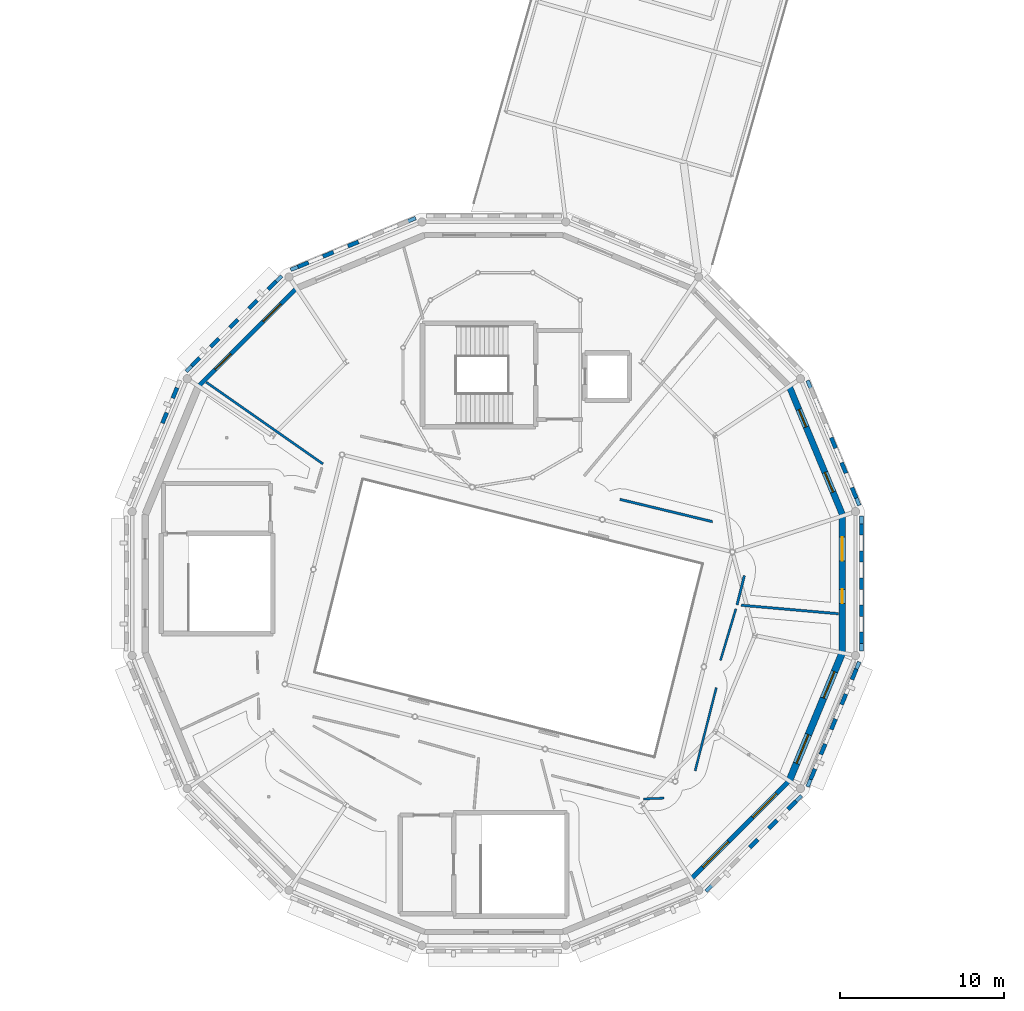
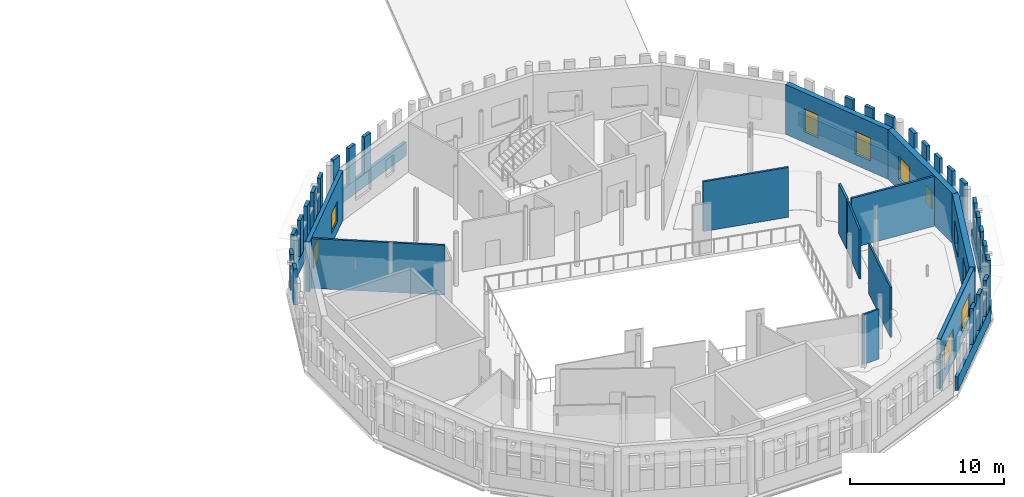
# One storey, part 47 of 68: 44 walls, 10 windows, 10 openings.
"""IFC4 building model written with IfcOpenShell, lengths in metres."""

from ifc_helpers import new_model, si_unit, direction, frame, frame_2d, origin, place, context, subcontext, project, spatial, rectangle, extrude, material, layer, layer_set, type_object, element, fill, save


model = new_model("IFC4")

# Units and contexts
model_context = context("Model", 3, precision=1e-05, world=origin(), true_north=direction((0.0, 1.0)))
body_context = subcontext(model_context, "Body", "Model", "MODEL_VIEW")
ifc_project = project(units=[si_unit("LENGTHUNIT", "METRE"), si_unit("AREAUNIT", "SQUARE_METRE"), si_unit("VOLUMEUNIT", "CUBIC_METRE"), si_unit("PLANEANGLEUNIT", "RADIAN"), si_unit("MASSUNIT", "GRAM", prefix="KILO")], contexts=[model_context])

# Site, building, storey
site_placement = place(None, origin())
site = spatial("IfcSite", under=ifc_project, at=site_placement, CompositionType="ELEMENT")
building_placement = place(site_placement, origin())
building = spatial("IfcBuilding", under=site, at=building_placement, Name="Wrenclough Park School", CompositionType="ELEMENT")
storey_placement = place(building_placement, frame((0.0, 0.0, 12.60009765625)))
storey = spatial("IfcBuildingStorey", under=building, at=storey_placement, Name="L03", CompositionType="ELEMENT", Elevation=12.60009765625)

# Walls
ifc_material_1 = material(Name="Perforated open-bond Staffordshire and Manchester brick screen pier", Category="masonry")
ifc_layer_1 = layer(ifc_material_1, 0.2451171875)
ifc_layer_set_1 = layer_set([ifc_layer_1], Name="Perforated open-bond Staffordshire and Manchester brick screen pier")
wall_type_1 = type_object("IfcWallType", Name="ENV-BS-PR245", PredefinedType="ELEMENTEDWALL", material=ifc_layer_set_1)
wall_1_placement = place(storey_placement, frame((177.566650390625, 31.703369140625, 1.08984375), z_axis=(0.0, 0.0, 1.0), x_axis=(-0.382934147939, 0.92377564286, 0.0)))
element("IfcWall", 1, at=wall_1_placement, inside=storey, type_object=wall_type_1, Name="D1 L03 perforated brick screen pier 0623", PredefinedType="ELEMENTEDWALL", context=body_context, shape_type="SweptSolid", body=[
    extrude(rectangle(XDim=0.691162109375, YDim=0.2451171875, at=frame_2d((0.345703125, 0.0))), origin(), (0.0, 0.0, 1.0), 2.85009765625),
])
wall_2_placement = place(storey_placement, frame((176.936767578125, 33.22412109375, 1.08984375), z_axis=(0.0, 0.0, 1.0), x_axis=(-0.382757564877, 0.923848822335, 0.0)))
element("IfcWall", 2, at=wall_2_placement, inside=storey, type_object=wall_type_1, Name="D1 L03 perforated brick screen pier 0624", PredefinedType="ELEMENTEDWALL", context=body_context, shape_type="SweptSolid", body=[
    extrude(rectangle(XDim=0.690673828125, YDim=0.2451171875, at=frame_2d((0.34521484375, 0.0))), origin(), (0.0, 0.0, 1.0), 2.85009765625),
])
for number, where, z_axis, x_axis, name in (
    (3, (176.306884765625, 34.74462890625, 1.08984375), (0.0, 0.0, 1.0), (-0.38263262807, 0.923900574703, 0.0), "D1 L03 perforated brick screen pier 0625"),
    (4, (147.255126953125, 47.306640625, 1.08984375), (0.0, 0.0, 1.0), (-0.923900574703, -0.38263262807, 0.0), "D1 L03 perforated brick screen pier 0645"),
    (5, (145.734619140625, 46.6767578125, 1.08984375), (0.0, 0.0, 1.0), (-0.923900574703, -0.38263262807, 0.0), "D1 L03 perforated brick screen pier 0646"),
    (6, (144.2138671875, 46.046875, 1.08984375), (0.0, 0.0, 1.0), (-0.923900574703, -0.38263262807, 0.0), "D1 L03 perforated brick screen pier 0647"),
):
    element("IfcWall", number, at=place(storey_placement, frame(where, z_axis=z_axis, x_axis=x_axis)), inside=storey, type_object=wall_type_1, Name=name, PredefinedType="ELEMENTEDWALL", context=body_context, shape_type="SweptSolid", body=[
        extrude(rectangle(XDim=0.69091796875, YDim=0.2451171875, at=frame_2d((0.345458984375, 0.0))), origin(), (0.0, 0.0, 1.0), 2.85009765625),
    ])
wall_3_placement = place(storey_placement, frame((142.247802734375, 44.895263671875, 1.08984375), z_axis=(0.0, 0.0, 1.0), x_axis=(-0.706930114916, -0.707283403329, 0.0)))
element("IfcWall", 7, at=wall_3_placement, inside=storey, type_object=wall_type_1, Name="D1 L03 perforated brick screen pier 0648", PredefinedType="ELEMENTEDWALL", context=body_context, shape_type="SweptSolid", body=[
    extrude(rectangle(XDim=0.691162109375, YDim=0.2451171875, at=frame_2d((0.345703125, 0.0))), origin(), (0.0, 0.0, 1.0), 2.85009765625),
])
for number, where, z_axis, x_axis, name in (
    (8, (141.084228515625, 43.7314453125, 1.08984375), (0.0, 0.0, 1.0), (-0.707106781187, -0.707106781187, 0.0), "D1 L03 perforated brick screen pier 0649"),
    (9, (139.92041015625, 42.567626953125, 1.08984375), (0.0, 0.0, 1.0), (-0.707106781187, -0.707106781187, 0.0), "D1 L03 perforated brick screen pier 0650"),
    (10, (138.756591796875, 41.40380859375, 1.08984375), (0.0, 0.0, 1.0), (-0.707106781187, -0.707106781187, 0.0), "D1 L03 perforated brick screen pier 0651"),
):
    element("IfcWall", number, at=place(storey_placement, frame(where, z_axis=z_axis, x_axis=x_axis)), inside=storey, type_object=wall_type_1, Name=name, PredefinedType="ELEMENTEDWALL", context=body_context, shape_type="SweptSolid", body=[
        extrude(rectangle(XDim=0.69091796875, YDim=0.2451171875, at=frame_2d((0.345458984375, 0.0))), origin(), (0.0, 0.0, 1.0), 2.85009765625),
    ])
wall_4_placement = place(storey_placement, frame((137.593017578125, 40.240234375, 1.08984375), z_axis=(0.0, 0.0, 1.0), x_axis=(-0.707283403329, -0.706930114916, 0.0)))
element("IfcWall", 11, at=wall_4_placement, inside=storey, type_object=wall_type_1, Name="D1 L03 perforated brick screen pier 0652", PredefinedType="ELEMENTEDWALL", context=body_context, shape_type="SweptSolid", body=[
    extrude(rectangle(XDim=0.691162109375, YDim=0.2451171875, at=frame_2d((0.345703125, 0.0))), origin(), (0.0, 0.0, 1.0), 2.85009765625),
])
for number, where, z_axis, x_axis, name in (
    (12, (136.21728515625, 38.42431640625, 1.08984375), (0.0, 0.0, 1.0), (-0.38263262807, -0.923900574703, 0.0), "D1 L03 perforated brick screen pier 0653"),
    (13, (135.58740234375, 36.90380859375, 1.08984375), (0.0, 0.0, 1.0), (-0.38263262807, -0.923900574703, 0.0), "D1 L03 perforated brick screen pier 0654"),
):
    element("IfcWall", number, at=place(storey_placement, frame(where, z_axis=z_axis, x_axis=x_axis)), inside=storey, type_object=wall_type_1, Name=name, PredefinedType="ELEMENTEDWALL", context=body_context, shape_type="SweptSolid", body=[
        extrude(rectangle(XDim=0.69091796875, YDim=0.2451171875, at=frame_2d((0.345458984375, 0.0))), origin(), (0.0, 0.0, 1.0), 2.85009765625),
    ])
wall_5_placement = place(storey_placement, frame((171.079345703125, 10.431884765625, 1.08984375), z_axis=(0.0, 0.0, 1.0), x_axis=(0.707106781187, 0.707106781187, 0.0)))
element("IfcWall", 14, at=wall_5_placement, inside=storey, type_object=wall_type_1, Name="D1 L03 perforated brick screen pier 0690", PredefinedType="ELEMENTEDWALL", context=body_context, shape_type="SweptSolid", body=[
    extrude(rectangle(XDim=0.691162109375, YDim=0.2451171875, at=frame_2d((0.345703125, 0.0))), origin(), (0.0, 0.0, 1.0), 2.85009765625),
])
wall_6_placement = place(storey_placement, frame((172.2431640625, 11.595947265625, 1.08984375), z_axis=(0.0, 0.0, 1.0), x_axis=(0.707106781187, 0.707106781187, 0.0)))
element("IfcWall", 15, at=wall_6_placement, inside=storey, type_object=wall_type_1, Name="D1 L03 perforated brick screen pier 0691", PredefinedType="ELEMENTEDWALL", context=body_context, shape_type="SweptSolid", body=[
    extrude(rectangle(XDim=0.69091796875, YDim=0.2451171875, at=frame_2d((0.345458984375, 0.0))), origin(), (0.0, 0.0, 1.0), 2.85009765625),
])
wall_7_placement = place(storey_placement, frame((173.406982421875, 12.759765625, 1.08984375), z_axis=(0.0, 0.0, 1.0), x_axis=(0.707283403329, 0.706930114916, 0.0)))
element("IfcWall", 16, at=wall_7_placement, inside=storey, type_object=wall_type_1, Name="D1 L03 perforated brick screen pier 0692", PredefinedType="ELEMENTEDWALL", context=body_context, shape_type="SweptSolid", body=[
    extrude(rectangle(XDim=0.691162109375, YDim=0.2451171875, at=frame_2d((0.345703125, 0.0))), origin(), (0.0, 0.0, 1.0), 2.85009765625),
])
for number, where, z_axis, x_axis, name in (
    (17, (174.78271484375, 14.57568359375, 1.08984375), (0.0, 0.0, 1.0), (0.38263262807, 0.923900574703, 0.0), "D1 L03 perforated brick screen pier 0693"),
    (18, (175.41259765625, 16.09619140625, 1.08984375), (0.0, 0.0, 1.0), (0.38263262807, 0.923900574703, 0.0), "D1 L03 perforated brick screen pier 0694"),
    (19, (176.04248046875, 17.616943359375, 1.08984375), (0.0, 0.0, 1.0), (0.38263262807, 0.923900574703, 0.0), "D1 L03 perforated brick screen pier 0695"),
):
    element("IfcWall", number, at=place(storey_placement, frame(where, z_axis=z_axis, x_axis=x_axis)), inside=storey, type_object=wall_type_1, Name=name, PredefinedType="ELEMENTEDWALL", context=body_context, shape_type="SweptSolid", body=[
        extrude(rectangle(XDim=0.69091796875, YDim=0.2451171875, at=frame_2d((0.345458984375, 0.0))), origin(), (0.0, 0.0, 1.0), 2.85009765625),
    ])
wall_8_placement = place(storey_placement, frame((176.67236328125, 19.1376953125, 1.08984375), z_axis=(0.0, 0.0, 1.0), x_axis=(0.382757564877, 0.923848822335, 0.0)))
element("IfcWall", 20, at=wall_8_placement, inside=storey, type_object=wall_type_1, Name="D1 L03 perforated brick screen pier 0696", PredefinedType="ELEMENTEDWALL", context=body_context, shape_type="SweptSolid", body=[
    extrude(rectangle(XDim=0.690673828125, YDim=0.2451171875, at=frame_2d((0.34521484375, 0.0))), origin(), (0.0, 0.0, 1.0), 2.85009765625),
])
wall_9_placement = place(storey_placement, frame((177.302001953125, 20.658203125, 1.08984375), z_axis=(0.0, 0.0, 1.0), x_axis=(0.382934147939, 0.92377564286, 0.0)))
element("IfcWall", 21, at=wall_9_placement, inside=storey, type_object=wall_type_1, Name="D1 L03 perforated brick screen pier 0697", PredefinedType="ELEMENTEDWALL", context=body_context, shape_type="SweptSolid", body=[
    extrude(rectangle(XDim=0.691162109375, YDim=0.2451171875, at=frame_2d((0.345703125, 0.0))), origin(), (0.0, 0.0, 1.0), 2.85009765625),
])
for number, where, z_axis, x_axis, name in (
    (22, (177.878173828125, 22.862548828125, 1.08984375), (0.0, 0.0, 1.0), (0.0, 1.0, 0.0), "D1 L03 perforated brick screen pier 0698"),
    (23, (177.878173828125, 24.508544921875, 1.08984375), (0.0, 0.0, 1.0), (0.0, 1.0, 0.0), "D1 L03 perforated brick screen pier 0699"),
    (24, (177.878173828125, 26.154541015625, 1.08984375), (0.0, 0.0, 1.0), (0.0, 1.0, 0.0), "D1 L03 perforated brick screen pier 0700"),
    (25, (177.878173828125, 27.800537109375, 1.08984375), (0.0, 0.0, 1.0), (0.0, 1.0, 0.0), "D1 L03 perforated brick screen pier 0701"),
    (26, (177.878173828125, 29.446533203125, 1.08984375), (0.0, 0.0, 1.0), (0.0, 1.0, 0.0), "D1 L03 perforated brick screen pier 0702"),
):
    element("IfcWall", number, at=place(storey_placement, frame(where, z_axis=z_axis, x_axis=x_axis)), inside=storey, type_object=wall_type_1, Name=name, PredefinedType="ELEMENTEDWALL", context=body_context, shape_type="SweptSolid", body=[
        extrude(rectangle(XDim=0.69091796875, YDim=0.2451171875, at=frame_2d((0.345458984375, 0.0))), origin(), (0.0, 0.0, 1.0), 2.85009765625),
    ])
ifc_material_2 = material(Name="Open-bond Manchester multi-stock brick spandrel screen", Category="masonry")
ifc_layer_2 = layer(ifc_material_2, 0.22509765625)
ifc_layer_set_2 = layer_set([ifc_layer_2], Name="Open-bond Manchester multi-stock brick spandrel screen")
wall_type_2 = type_object("IfcWallType", Name="ENV-BS-SP225", PredefinedType="ELEMENTEDWALL", material=ifc_layer_set_2)
wall_10_placement = place(storey_placement, frame((177.749267578125, 31.26220703125, 0.0), z_axis=(0.0, 0.0, 1.0), x_axis=(-0.382687155267, 0.923877990426, 0.0)))
element("IfcWall", 27, at=wall_10_placement, inside=storey, type_object=wall_type_2, Name="D1 L03 open-bond brick screen spandrel 0173", PredefinedType="ELEMENTEDWALL", context=body_context, shape_type="SweptSolid", body=[
    extrude(rectangle(XDim=8.229736328125, YDim=0.22509765625, at=frame_2d((4.11474609375, 0.0))), origin(), (0.0, 0.0, 1.0), 1.08984375),
])
wall_11_placement = place(storey_placement, frame((150.73779296875, 48.749267578125, 0.0), z_axis=(0.0, 0.0, 1.0), x_axis=(-0.923871846583, -0.38270198731, 0.0)))
element("IfcWall", 28, at=wall_11_placement, inside=storey, type_object=wall_type_2, Name="D1 L03 open-bond brick screen spandrel 0177", PredefinedType="ELEMENTEDWALL", context=body_context, shape_type="SweptSolid", body=[
    extrude(rectangle(XDim=8.22998046875, YDim=0.22509765625, at=frame_2d((4.114990234375, 0.0))), origin(), (0.0, 0.0, 1.0), 1.08984375),
])
wall_12_placement = place(storey_placement, frame((142.58544921875, 45.23291015625, 0.0), z_axis=(0.0, 0.0, 1.0), x_axis=(-0.707106781187, -0.707106781187, 0.0)))
element("IfcWall", 29, at=wall_12_placement, inside=storey, type_object=wall_type_2, Name="D1 L03 open-bond brick screen spandrel 0178", PredefinedType="ELEMENTEDWALL", context=body_context, shape_type="SweptSolid", body=[
    extrude(rectangle(XDim=8.22900390625, YDim=0.22509765625, at=frame_2d((4.114501953125, 0.0))), origin(), (0.0, 0.0, 1.0), 1.08984375),
])
for number, where, z_axis, x_axis, name in (
    (30, (168.4140625, 7.7666015625, 0.0), (0.0, 0.0, 1.0), (0.707106781187, 0.707106781187, 0.0), "D1 L03 open-bond brick screen spandrel 0186"),
    (31, (174.599853515625, 14.134521484375, 0.0), (0.0, 0.0, 1.0), (0.382687155267, 0.923877990426, 0.0), "D1 L03 open-bond brick screen spandrel 0187"),
):
    element("IfcWall", number, at=place(storey_placement, frame(where, z_axis=z_axis, x_axis=x_axis)), inside=storey, type_object=wall_type_2, Name=name, PredefinedType="ELEMENTEDWALL", context=body_context, shape_type="SweptSolid", body=[
        extrude(rectangle(XDim=8.229736328125, YDim=0.22509765625, at=frame_2d((4.11474609375, 0.0))), origin(), (0.0, 0.0, 1.0), 1.08984375),
    ])
wall_13_placement = place(storey_placement, frame((177.878173828125, 22.385009765625, 0.0), z_axis=(0.0, 0.0, 1.0), x_axis=(0.0, 1.0, 0.0)))
element("IfcWall", 32, at=wall_13_placement, inside=storey, type_object=wall_type_2, Name="D1 L03 open-bond brick screen spandrel 0188", PredefinedType="ELEMENTEDWALL", context=body_context, shape_type="SweptSolid", body=[
    extrude(rectangle(XDim=8.22998046875, YDim=0.22509765625, at=frame_2d((4.114990234375, 0.0))), origin(), (0.0, 0.0, 1.0), 1.08984375),
])

# Wall, openings, windows
ifc_material_3 = material(Name="Link wing brick-faced cavity wall Concrete C32/40", Category="masonry")
ifc_layer_3 = layer(ifc_material_3, 0.27490234375)
ifc_layer_set_3 = layer_set([ifc_layer_3], Name="Link wing brick-faced cavity wall Concrete C32/40")
wall_type_3 = type_object("IfcWallType", Name="ENV-EW-275", PredefinedType="SOLIDWALL", material=ifc_layer_set_3)
wall_14_placement = place(storey_placement, frame((137.51708984375, 38.515625, 0.0), z_axis=(0.0, 0.0, 1.0), x_axis=(0.707106781187, 0.707106781187, 0.0)))
wall_14 = element("IfcWall", 33, at=wall_14_placement, inside=storey, type_object=wall_type_3, Name="L03 insulated brick external wall 0310", PredefinedType="SOLIDWALL", context=body_context, shape_type="SweptSolid", body=[
    extrude(rectangle(XDim=8.43896484375, YDim=0.27490234375, at=frame_2d((4.219482421875, 0.0))), origin(), (0.0, 0.0, 1.0), 3.93994140625),
])
opening_1_placement = place(wall_14_placement, frame((1.434814453125, 0.0, 0.85009765625)))
opening_1 = element("IfcOpeningElement", 34, at=opening_1_placement, cuts=wall_14, Name="Opening WN-16", PredefinedType="OPENING", context=body_context, shape_type="SweptSolid", body=[
    extrude(rectangle(XDim=1.35009765625, YDim=1.60009765625, at=frame_2d((0.675048828125, 0.800048828125))), frame((0.0, 0.1474609375, 0.0), z_axis=(0.0, -1.0, 0.0), x_axis=(1.0, 0.0, 0.0)), (0.0, 0.0, 1.0), 0.294921875),
])
opening_2_placement = place(wall_14_placement, frame((5.5791015625, 0.0, 0.85009765625)))
opening_2 = element("IfcOpeningElement", 35, at=opening_2_placement, cuts=wall_14, Name="Opening WN-17", PredefinedType="OPENING", context=body_context, shape_type="SweptSolid", body=[
    extrude(rectangle(XDim=1.5, YDim=1.60009765625, at=frame_2d((0.75, 0.800048828125))), frame((0.0, 0.1474609375, 0.0), z_axis=(0.0, -1.0, 0.0), x_axis=(1.0, 0.0, 0.0)), (0.0, 0.0, 1.0), 0.294921875),
])
ifc_material_4 = material(Name="Thermally broken aluminium and double-glazed low-e glass", Category="aluminium")
window_type_1 = type_object("IfcWindowType", Name="ENV-WN-16", PartitioningType="SINGLE_PANEL", PredefinedType="WINDOW", material=ifc_material_4)
window_1_placement = place(opening_1_placement, origin())
window_1 = element("IfcWindow", 36, at=window_1_placement, inside=storey, type_object=window_type_1, Name="L03 scheduled facade window 0519", OverallHeight=1.60009765625, OverallWidth=1.35009765625, PartitioningType="SINGLE_PANEL", PredefinedType="WINDOW", context=body_context, shape_type="SweptSolid", body=[
    extrude(rectangle(XDim=1.35009765625, YDim=1.60009765625, at=frame_2d((0.675048828125, 0.800048828125))), frame((0.0, 0.030029296875, 0.0), z_axis=(0.0, -1.0, 0.0), x_axis=(1.0, 0.0, 0.0)), (0.0, 0.0, 1.0), 0.06005859375),
])
fill(opening_1, window_1)
window_type_2 = type_object("IfcWindowType", Name="ENV-WN-17", PartitioningType="DOUBLE_PANEL_VERTICAL", PredefinedType="WINDOW", material=ifc_material_4)
window_2_placement = place(opening_2_placement, origin())
window_2 = element("IfcWindow", 37, at=window_2_placement, inside=storey, type_object=window_type_2, Name="L03 scheduled facade window 0520", OverallHeight=1.60009765625, OverallWidth=1.5, PartitioningType="SINGLE_PANEL", PredefinedType="WINDOW", context=body_context, shape_type="SweptSolid", body=[
    extrude(rectangle(XDim=1.5, YDim=1.60009765625, at=frame_2d((0.75, 0.800048828125))), frame((0.0, 0.030029296875, 0.0), z_axis=(0.0, -1.0, 0.0), x_axis=(1.0, 0.0, 0.0)), (0.0, 0.0, 1.0), 0.06005859375),
])
fill(opening_2, window_2)

wall_15_placement = place(storey_placement, frame((173.48291015625, 14.484375, 0.0), z_axis=(0.0, 0.0, 1.0), x_axis=(-0.707106781187, -0.707106781187, 0.0)))
wall_15 = element("IfcWall", 38, at=wall_15_placement, inside=storey, type_object=wall_type_3, Name="L03 insulated brick external wall 0318", PredefinedType="SOLIDWALL", context=body_context, shape_type="SweptSolid", body=[
    extrude(rectangle(XDim=8.43896484375, YDim=0.27490234375, at=frame_2d((4.219482421875, 0.0))), origin(), (0.0, 0.0, 1.0), 3.93994140625),
])
opening_3_placement = place(wall_15_placement, frame((1.084716796875, 0.0, 0.85009765625)))
opening_3 = element("IfcOpeningElement", 39, at=opening_3_placement, cuts=wall_15, Name="Opening WN-32", PredefinedType="OPENING", context=body_context, shape_type="SweptSolid", body=[
    extrude(rectangle(XDim=2.050048828125, YDim=1.800048828125, at=frame_2d((1.02490234375, 0.89990234375))), frame((0.0, 0.1474609375, 0.0), z_axis=(0.0, -1.0, 0.0), x_axis=(1.0, 0.0, 0.0)), (0.0, 0.0, 1.0), 0.294921875),
])
opening_4_placement = place(wall_15_placement, frame((5.229248046875, 0.0, 0.85009765625)))
opening_4 = element("IfcOpeningElement", 40, at=opening_4_placement, cuts=wall_15, Name="Opening WN-33", PredefinedType="OPENING", context=body_context, shape_type="SweptSolid", body=[
    extrude(rectangle(XDim=2.199951171875, YDim=1.800048828125, at=frame_2d((1.10009765625, 0.89990234375))), frame((0.0, 0.1474609375, 0.0), z_axis=(0.0, -1.0, 0.0), x_axis=(1.0, 0.0, 0.0)), (0.0, 0.0, 1.0), 0.294921875),
])
window_type_3 = type_object("IfcWindowType", Name="ENV-WN-32", PartitioningType="DOUBLE_PANEL_VERTICAL", PredefinedType="WINDOW", material=ifc_material_4)
window_3_placement = place(opening_3_placement, origin())
window_3 = element("IfcWindow", 41, at=window_3_placement, inside=storey, type_object=window_type_3, Name="L03 scheduled facade window 0535", OverallHeight=1.800048828125, OverallWidth=2.050048828125, PartitioningType="SINGLE_PANEL", PredefinedType="WINDOW", context=body_context, shape_type="SweptSolid", body=[
    extrude(rectangle(XDim=2.050048828125, YDim=1.800048828125, at=frame_2d((1.02490234375, 0.89990234375))), frame((0.0, 0.030029296875, 0.0), z_axis=(0.0, -1.0, 0.0), x_axis=(1.0, 0.0, 0.0)), (0.0, 0.0, 1.0), 0.06005859375),
])
fill(opening_3, window_3)
window_type_4 = type_object("IfcWindowType", Name="ENV-WN-33", PartitioningType="DOUBLE_PANEL_VERTICAL", PredefinedType="WINDOW", material=ifc_material_4)
window_4_placement = place(opening_4_placement, origin())
window_4 = element("IfcWindow", 42, at=window_4_placement, inside=storey, type_object=window_type_4, Name="L03 scheduled facade window 0536", OverallHeight=1.800048828125, OverallWidth=2.199951171875, PartitioningType="SINGLE_PANEL", PredefinedType="WINDOW", context=body_context, shape_type="SweptSolid", body=[
    extrude(rectangle(XDim=2.199951171875, YDim=1.800048828125, at=frame_2d((1.10009765625, 0.89990234375))), frame((0.0, 0.030029296875, 0.0), z_axis=(0.0, -1.0, 0.0), x_axis=(1.0, 0.0, 0.0)), (0.0, 0.0, 1.0), 0.06005859375),
])
fill(opening_4, window_4)

ifc_material_5 = material(Name="Manchester multi-stock brick and Concrete C35/45 inner leaf", Category="masonry")
ifc_layer_4 = layer(ifc_material_5, 0.3798828125)
ifc_layer_set_4 = layer_set([ifc_layer_4], Name="Manchester multi-stock brick and Concrete C35/45 inner leaf")
wall_type_4 = type_object("IfcWallType", Name="ENV-EW-380", PredefinedType="SOLIDWALL", material=ifc_layer_set_4)
wall_16_placement = place(storey_placement, frame((173.48291015625, 38.515625, 0.0), z_axis=(0.0, 0.0, 1.0), x_axis=(0.382671186453, -0.923884604839, 0.0)))
wall_16 = element("IfcWall", 43, at=wall_16_placement, inside=storey, type_object=wall_type_4, Name="L03 insulated brick external wall 0315", PredefinedType="SOLIDWALL", context=body_context, shape_type="SweptSolid", body=[
    extrude(rectangle(XDim=8.438720703125, YDim=0.3798828125, at=frame_2d((4.21923828125, 0.0))), origin(), (0.0, 0.0, 1.0), 3.93994140625),
])
opening_5_placement = place(wall_16_placement, frame((1.53466796875, 0.0, 0.85009765625)))
opening_5 = element("IfcOpeningElement", 44, at=opening_5_placement, cuts=wall_16, Name="Opening WN-26", PredefinedType="OPENING", context=body_context, shape_type="SweptSolid", body=[
    extrude(rectangle(XDim=1.14990234375, YDim=1.800048828125, at=frame_2d((0.574951171875, 0.89990234375))), frame((0.0, 0.199951171875, 0.0), z_axis=(0.0, -1.0, 0.0), x_axis=(1.0, 0.0, 0.0)), (0.0, 0.0, 1.0), 0.39990234375),
])
opening_6_placement = place(wall_16_placement, frame((5.678955078125, 0.0, 0.85009765625)))
opening_6 = element("IfcOpeningElement", 45, at=opening_6_placement, cuts=wall_16, Name="Opening WN-27", PredefinedType="OPENING", context=body_context, shape_type="SweptSolid", body=[
    extrude(rectangle(XDim=1.300048828125, YDim=1.800048828125, at=frame_2d((0.64990234375, 0.89990234375))), frame((0.0, 0.199951171875, 0.0), z_axis=(0.0, -1.0, 0.0), x_axis=(1.0, 0.0, 0.0)), (0.0, 0.0, 1.0), 0.39990234375),
])
window_type_5 = type_object("IfcWindowType", Name="ENV-WN-26", PartitioningType="SINGLE_PANEL", PredefinedType="WINDOW", material=ifc_material_4)
window_5_placement = place(opening_5_placement, origin())
window_5 = element("IfcWindow", 46, at=window_5_placement, inside=storey, type_object=window_type_5, Name="L03 scheduled facade window 0529", OverallHeight=1.800048828125, OverallWidth=1.14990234375, PartitioningType="SINGLE_PANEL", PredefinedType="WINDOW", context=body_context, shape_type="SweptSolid", body=[
    extrude(rectangle(XDim=1.14990234375, YDim=1.800048828125, at=frame_2d((0.574951171875, 0.89990234375))), frame((0.0, 0.030029296875, 0.0), z_axis=(0.0, -1.0, 0.0), x_axis=(1.0, 0.0, 0.0)), (0.0, 0.0, 1.0), 0.06005859375),
])
fill(opening_5, window_5)
window_type_6 = type_object("IfcWindowType", Name="ENV-WN-27", PartitioningType="SINGLE_PANEL", PredefinedType="WINDOW", material=ifc_material_4)
window_6_placement = place(opening_6_placement, origin())
window_6 = element("IfcWindow", 47, at=window_6_placement, inside=storey, type_object=window_type_6, Name="L03 scheduled facade window 0530", OverallHeight=1.800048828125, OverallWidth=1.300048828125, PartitioningType="SINGLE_PANEL", PredefinedType="WINDOW", context=body_context, shape_type="SweptSolid", body=[
    extrude(rectangle(XDim=1.300048828125, YDim=1.800048828125, at=frame_2d((0.64990234375, 0.89990234375))), frame((0.0, 0.030029296875, 0.0), z_axis=(0.0, -1.0, 0.0), x_axis=(1.0, 0.0, 0.0)), (0.0, 0.0, 1.0), 0.06005859375),
])
fill(opening_6, window_6)

ifc_material_6 = material(Name="Staffordshire blue-grey brick and Concrete C40/50 acoustic leaf", Category="masonry")
ifc_layer_5 = layer(ifc_material_6, 0.39990234375)
ifc_layer_set_5 = layer_set([ifc_layer_5], Name="Staffordshire blue-grey brick and Concrete C40/50 acoustic leaf")
wall_type_5 = type_object("IfcWallType", Name="ENV-EW-400", PredefinedType="SOLIDWALL", material=ifc_layer_set_5)
wall_17_placement = place(storey_placement, frame((176.712158203125, 30.71923828125, 0.0), z_axis=(0.0, 0.0, 1.0), x_axis=(0.0, -1.0, 0.0)))
wall_17 = element("IfcWall", 48, at=wall_17_placement, inside=storey, type_object=wall_type_5, Name="L03 insulated brick external wall 0316", PredefinedType="SOLIDWALL", context=body_context, shape_type="SweptSolid", body=[
    extrude(rectangle(XDim=8.4384765625, YDim=0.39990234375, at=frame_2d((4.21923828125, 0.0))), origin(), (0.0, 0.0, 1.0), 3.93994140625),
])
opening_7_placement = place(wall_17_placement, frame((1.384765625, 0.0, 0.85009765625)))
opening_7 = element("IfcOpeningElement", 49, at=opening_7_placement, cuts=wall_17, Name="Opening WN-28", PredefinedType="OPENING", context=body_context, shape_type="SweptSolid", body=[
    extrude(rectangle(XDim=1.449951171875, YDim=1.800048828125, at=frame_2d((0.72509765625, 0.89990234375))), frame((0.0, 0.2099609375, 0.0), z_axis=(0.0, -1.0, 0.0), x_axis=(1.0, 0.0, 0.0)), (0.0, 0.0, 1.0), 0.419921875),
])
opening_8_placement = place(wall_17_placement, frame((4.5693359375, 0.0, 0.85009765625)))
opening_8 = element("IfcOpeningElement", 50, at=opening_8_placement, cuts=wall_17, Name="Opening WN-01", PredefinedType="OPENING", context=body_context, shape_type="SweptSolid", body=[
    extrude(rectangle(XDim=0.85009765625, YDim=1.39990234375, at=frame_2d((0.425048828125, 0.699951171875))), frame((0.0, 0.2099609375, 0.0), z_axis=(0.0, -1.0, 0.0), x_axis=(1.0, 0.0, 0.0)), (0.0, 0.0, 1.0), 0.419921875),
])
window_type_7 = type_object("IfcWindowType", Name="ENV-WN-01", PartitioningType="SINGLE_PANEL", PredefinedType="WINDOW", material=ifc_material_4)
window_7_placement = place(opening_8_placement, origin())
window_7 = element("IfcWindow", 51, at=window_7_placement, inside=storey, type_object=window_type_7, Name="L03 scheduled facade window 0532", OverallHeight=1.39990234375, OverallWidth=0.85009765625, PartitioningType="SINGLE_PANEL", PredefinedType="WINDOW", context=body_context, shape_type="SweptSolid", body=[
    extrude(rectangle(XDim=0.85009765625, YDim=1.39990234375, at=frame_2d((0.425048828125, 0.699951171875))), frame((0.0, 0.030029296875, 0.0), z_axis=(0.0, -1.0, 0.0), x_axis=(1.0, 0.0, 0.0)), (0.0, 0.0, 1.0), 0.06005859375),
])
fill(opening_8, window_7)
window_type_8 = type_object("IfcWindowType", Name="ENV-WN-28", PartitioningType="SINGLE_PANEL", PredefinedType="WINDOW", material=ifc_material_4)
window_8_placement = place(opening_7_placement, origin())
window_8 = element("IfcWindow", 52, at=window_8_placement, inside=storey, type_object=window_type_8, Name="L03 scheduled facade window 0531", OverallHeight=1.800048828125, OverallWidth=1.449951171875, PartitioningType="SINGLE_PANEL", PredefinedType="WINDOW", context=body_context, shape_type="SweptSolid", body=[
    extrude(rectangle(XDim=1.449951171875, YDim=1.800048828125, at=frame_2d((0.72509765625, 0.89990234375))), frame((0.0, 0.030029296875, 0.0), z_axis=(0.0, -1.0, 0.0), x_axis=(1.0, 0.0, 0.0)), (0.0, 0.0, 1.0), 0.06005859375),
])
fill(opening_7, window_8)

ifc_material_7 = material(Name="Insulated brick-clad sports hall wall Concrete C40/50", Category="masonry")
ifc_layer_6 = layer(ifc_material_7, 0.425048828125)
ifc_layer_set_6 = layer_set([ifc_layer_6], Name="Insulated brick-clad sports hall wall Concrete C40/50")
wall_type_6 = type_object("IfcWallType", Name="ENV-EW-425", PredefinedType="SOLIDWALL", material=ifc_layer_set_6)
wall_18_placement = place(storey_placement, frame((176.712158203125, 22.28076171875, 0.0), z_axis=(0.0, 0.0, 1.0), x_axis=(-0.382671186453, -0.923884604839, 0.0)))
wall_18 = element("IfcWall", 53, at=wall_18_placement, inside=storey, type_object=wall_type_6, Name="L03 insulated brick external wall 0317", PredefinedType="SOLIDWALL", context=body_context, shape_type="SweptSolid", body=[
    extrude(rectangle(XDim=8.438720703125, YDim=0.425048828125, at=frame_2d((4.21923828125, 0.0))), origin(), (0.0, 0.0, 1.0), 3.93994140625),
])
opening_9_placement = place(wall_18_placement, frame((1.234619140625, 0.0, 0.85009765625)))
opening_9 = element("IfcOpeningElement", 54, at=opening_9_placement, cuts=wall_18, Name="Opening WN-30", PredefinedType="OPENING", context=body_context, shape_type="SweptSolid", body=[
    extrude(rectangle(XDim=1.75, YDim=1.800048828125, at=frame_2d((0.875, 0.89990234375))), frame((0.0, 0.222412109375, 0.0), z_axis=(0.0, -1.0, 0.0), x_axis=(1.0, 0.0, 0.0)), (0.0, 0.0, 1.0), 0.445068359375),
])
opening_10_placement = place(wall_18_placement, frame((5.37890625, 0.0, 0.85009765625)))
opening_10 = element("IfcOpeningElement", 55, at=opening_10_placement, cuts=wall_18, Name="Opening WN-31", PredefinedType="OPENING", context=body_context, shape_type="SweptSolid", body=[
    extrude(rectangle(XDim=1.89990234375, YDim=1.800048828125, at=frame_2d((0.949951171875, 0.89990234375))), frame((0.0, 0.222412109375, 0.0), z_axis=(0.0, -1.0, 0.0), x_axis=(1.0, 0.0, 0.0)), (0.0, 0.0, 1.0), 0.445068359375),
])
window_type_9 = type_object("IfcWindowType", Name="ENV-WN-30", PartitioningType="DOUBLE_PANEL_VERTICAL", PredefinedType="WINDOW", material=ifc_material_4)
window_9_placement = place(opening_9_placement, origin())
window_9 = element("IfcWindow", 56, at=window_9_placement, inside=storey, type_object=window_type_9, Name="L03 scheduled facade window 0533", OverallHeight=1.800048828125, OverallWidth=1.75, PartitioningType="SINGLE_PANEL", PredefinedType="WINDOW", context=body_context, shape_type="SweptSolid", body=[
    extrude(rectangle(XDim=1.75, YDim=1.800048828125, at=frame_2d((0.875, 0.89990234375))), frame((0.0, 0.030029296875, 0.0), z_axis=(0.0, -1.0, 0.0), x_axis=(1.0, 0.0, 0.0)), (0.0, 0.0, 1.0), 0.06005859375),
])
fill(opening_9, window_9)
window_type_10 = type_object("IfcWindowType", Name="ENV-WN-31", PartitioningType="DOUBLE_PANEL_VERTICAL", PredefinedType="WINDOW", material=ifc_material_4)
window_10_placement = place(opening_10_placement, origin())
window_10 = element("IfcWindow", 57, at=window_10_placement, inside=storey, type_object=window_type_10, Name="L03 scheduled facade window 0534", OverallHeight=1.800048828125, OverallWidth=1.89990234375, PartitioningType="SINGLE_PANEL", PredefinedType="WINDOW", context=body_context, shape_type="SweptSolid", body=[
    extrude(rectangle(XDim=1.89990234375, YDim=1.800048828125, at=frame_2d((0.949951171875, 0.89990234375))), frame((0.0, 0.030029296875, 0.0), z_axis=(0.0, -1.0, 0.0), x_axis=(1.0, 0.0, 0.0)), (0.0, 0.0, 1.0), 0.06005859375),
])
fill(opening_10, window_10)

# Walls
ifc_material_8 = material(Name="Standard fire-rated room partition", Category="gypsum")
ifc_layer_7 = layer(ifc_material_8, 0.1298828125)
ifc_layer_set_7 = layer_set([ifc_layer_7], Name="Standard fire-rated room partition")
wall_type_7 = type_object("IfcWallType", Name="INT-PW-130", PredefinedType="PARTITIONING", material=ifc_layer_set_7)
wall_19_placement = place(storey_placement, frame((170.2373046875, 24.965087890625, 0.0), z_axis=(0.0, 0.0, 1.0), x_axis=(-0.286371895117, -0.958118540519, 0.0)))
element("IfcWall", 58, at=wall_19_placement, inside=storey, type_object=wall_type_7, Name="L03 internal partition 0426", PredefinedType="PARTITIONING", context=body_context, shape_type="SweptSolid", body=[
    extrude(rectangle(XDim=3.2822265625, YDim=0.1298828125, at=frame_2d((1.64111328125, 0.0))), origin(), (0.0, 0.0, 1.0), 3.949951171875),
])
wall_20_placement = place(storey_placement, frame((169.04443359375, 20.162841796875, 0.0), z_axis=(0.0, 0.0, 1.0), x_axis=(-0.246570708489, -0.969124803993, 0.0)))
element("IfcWall", 59, at=wall_20_placement, inside=storey, type_object=wall_type_7, Name="L03 internal partition 0427", PredefinedType="PARTITIONING", context=body_context, shape_type="SweptSolid", body=[
    extrude(rectangle(XDim=5.221923828125, YDim=0.1298828125, at=frame_2d((2.61083984375, 0.0))), origin(), (0.0, 0.0, 1.0), 3.949951171875),
])
wall_21_placement = place(storey_placement, frame((165.8515625, 13.438232421875, 0.0), z_axis=(0.0, 0.0, 1.0), x_axis=(-0.999199077564, -0.04001503962, 0.0)))
element("IfcWall", 60, at=wall_21_placement, inside=storey, type_object=wall_type_7, Name="L03 internal partition 0428", PredefinedType="PARTITIONING", context=body_context, shape_type="SweptSolid", body=[
    extrude(rectangle(XDim=1.24462890625, YDim=0.1298828125, at=frame_2d((0.622314453125, 0.0))), origin(), (0.0, 0.0, 1.0), 3.949951171875),
])
ifc_material_9 = material(Name="Protected corridor partition", Category="gypsum")
ifc_layer_8 = layer(ifc_material_9, 0.14990234375)
ifc_layer_set_8 = layer_set([ifc_layer_8], Name="Protected corridor partition")
wall_type_8 = type_object("IfcWallType", Name="INT-PW-150", PredefinedType="PARTITIONING", material=ifc_layer_set_8)
wall_22_placement = place(storey_placement, frame((170.75146484375, 26.984130859375, 0.0), z_axis=(0.0, 0.0, 1.0), x_axis=(-0.241877803241, -0.970306718672, 0.0)))
element("IfcWall", 61, at=wall_22_placement, inside=storey, type_object=wall_type_8, Name="L03 internal partition 0419", PredefinedType="PARTITIONING", context=body_context, shape_type="SweptSolid", body=[
    extrude(rectangle(XDim=1.833984375, YDim=0.14990234375, at=frame_2d((0.9169921875, 0.0))), origin(), (0.0, 0.0, 1.0), 3.949951171875),
])
wall_23_placement = place(storey_placement, frame((170.56005859375, 25.182373046875, 0.0), z_axis=(0.0, 0.0, 1.0), x_axis=(0.996194563718, -0.087157278632, 0.0)))
element("IfcWall", 62, at=wall_23_placement, inside=storey, type_object=wall_type_8, Name="L03 internal partition 0420", PredefinedType="PARTITIONING", context=body_context, shape_type="SweptSolid", body=[
    extrude(rectangle(XDim=5.94970703125, YDim=0.14990234375, at=frame_2d((2.974853515625, 0.0))), origin(), (0.0, 0.0, 1.0), 3.949951171875),
])
wall_24_placement = place(storey_placement, frame((163.175048828125, 31.62841796875, 0.0), z_axis=(0.0, 0.0, 1.0), x_axis=(0.972191697043, -0.234186473138, 0.0)))
element("IfcWall", 63, at=wall_24_placement, inside=storey, type_object=wall_type_8, Name="L03 internal partition 0423", PredefinedType="PARTITIONING", context=body_context, shape_type="SweptSolid", body=[
    extrude(rectangle(XDim=5.799560546875, YDim=0.14990234375, at=frame_2d((2.89990234375, 0.0))), origin(), (0.0, 0.0, 1.0), 3.949951171875),
])
ifc_material_10 = material(Name="Moisture-resistant sanitary service wall", Category="gypsum")
ifc_layer_9 = layer(ifc_material_10, 0.139892578125)
ifc_layer_set_9 = layer_set([ifc_layer_9], Name="Moisture-resistant sanitary service wall")
wall_type_9 = type_object("IfcWallType", Name="INT-SV-140", PredefinedType="PLUMBINGWALL", material=ifc_layer_set_9)
wall_25_placement = place(storey_placement, frame((137.9912109375, 38.759765625, 0.0), z_axis=(0.0, 0.0, 1.0), x_axis=(0.819151233973, -0.5735775936, 0.0)))
element("IfcWall", 64, at=wall_25_placement, inside=storey, type_object=wall_type_9, Name="L03 internal partition 0435", PredefinedType="PLUMBINGWALL", context=body_context, shape_type="SweptSolid", body=[
    extrude(rectangle(XDim=8.672119140625, YDim=0.139892578125, at=frame_2d((4.3359375, 0.0))), origin(), (0.0, 0.0, 1.0), 3.93994140625),
])

save(model, "model.ifc")
